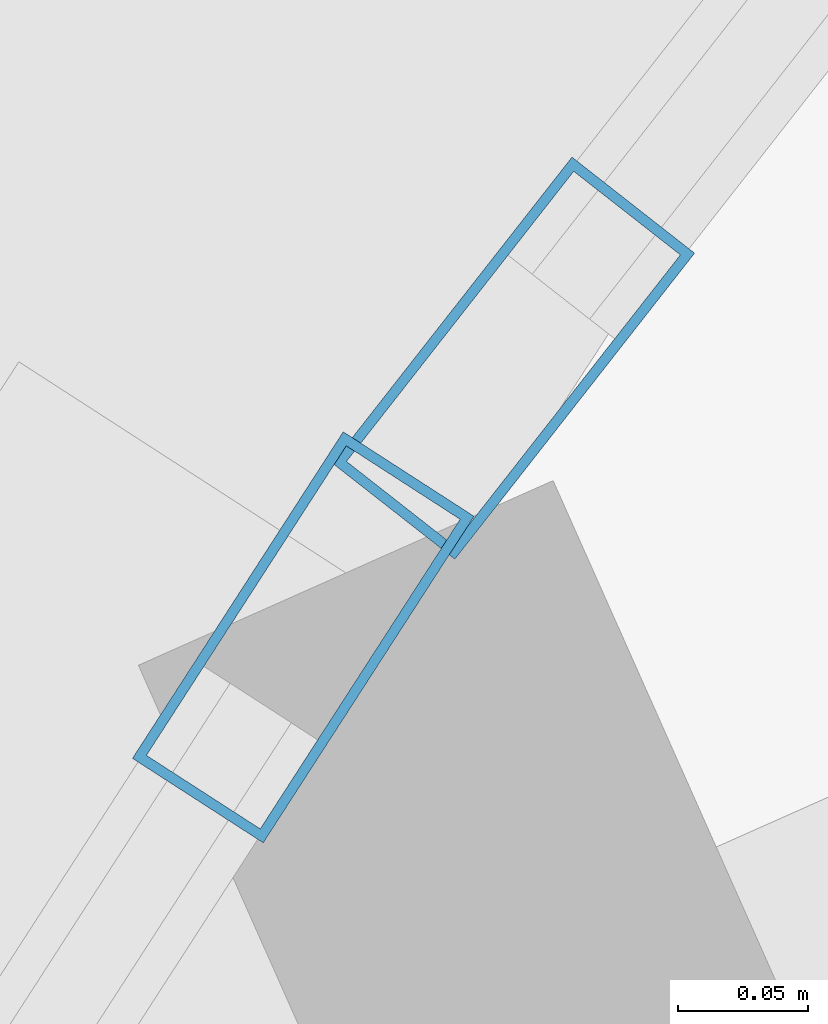
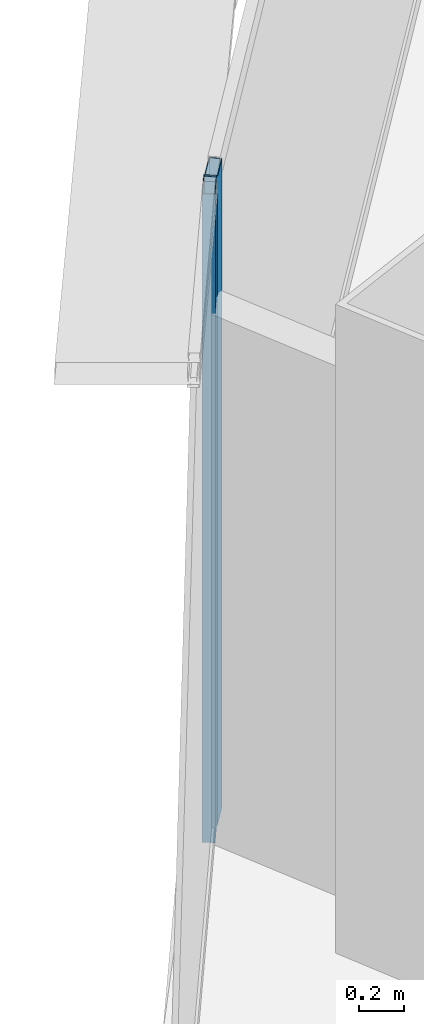
# One storey, part 18 of 36: 2 members, 2 elements without a shape of their own.
"""IFC4 building model written with IfcOpenShell, lengths in metres."""

import ifcopenshell
import ifcopenshell.guid

model = None  # the IFC model being written
_history = None  # IfcOwnerHistory: only IFC2X3 demands one
_inside = {}  # id of a spatial element -> (the spatial element, [elements in it])
_under = {}  # id of a project, library or spatial element -> (it, [spatial elements below it])
_declared = {}  # id of a project -> (the project, [libraries it declares])
_typed = {}  # id of a type object -> (the type object, [elements of that type])
_made_of = {}  # id of a material, layer set ... -> (it, [elements and type objects made of it])


def new_model(schema):
    """Start an empty IFC model of exactly this schema.

    Asked for "IFC4X3", IfcOpenShell would pick the latest addendum, in which some entities
    have other attributes; the version numbers below select the first issue.
    IFC2X3 requires an IfcOwnerHistory on every rooted entity: one is made here for all.
    """
    global model, _history
    if schema == "IFC4X3":
        model = ifcopenshell.file(schema_version=(4, 3, 0, 0))
    else:
        model = ifcopenshell.file(schema=schema)
    _inside.clear()
    _under.clear()
    _declared.clear()
    _typed.clear()
    _made_of.clear()
    _history = None
    if model.schema == "IFC2X3":
        org = make("IfcOrganization", Name="unknown")
        user = make(
            "IfcPersonAndOrganization",
            ThePerson=make("IfcPerson", FamilyName="unknown"),
            TheOrganization=org,
        )
        app = make(
            "IfcApplication",
            ApplicationDeveloper=org,
            Version="unknown",
            ApplicationFullName="unknown",
            ApplicationIdentifier="unknown",
        )
        _history = make(
            "IfcOwnerHistory",
            OwningUser=user,
            OwningApplication=app,
            ChangeAction="ADDED",
            CreationDate=0,
        )
    return model


def make(cls, **values):
    """One entity of the class cls with the attributes given. An attribute that is None is left unset."""
    return model.create_entity(
        cls, **{name: value for name, value in values.items() if value is not None}
    )


def rooted(cls, **values):
    """An entity with a GlobalId (a new one), such as an element, a storey or a relation."""
    return make(cls, GlobalId=ifcopenshell.guid.new(), OwnerHistory=_history, **values)


def si_unit(unit_type, name, prefix=None):
    """IfcSIUnit, for example si_unit("LENGTHUNIT", "METRE", prefix="MILLI")."""
    return make("IfcSIUnit", UnitType=unit_type, Prefix=prefix, Name=name)


def assignment(units):
    """IfcUnitAssignment: the units of a project."""
    return None if units is None else make("IfcUnitAssignment", Units=units)


def point(xyz):
    """IfcCartesianPoint."""
    return None if xyz is None else make("IfcCartesianPoint", Coordinates=xyz)


def direction(xyz):
    """IfcDirection."""
    return None if xyz is None else make("IfcDirection", DirectionRatios=xyz)


def frame(location, z_axis=None, x_axis=None):
    """IfcAxis2Placement3D, a coordinate frame: its origin and axes. An axis left out is left unset."""
    return make(
        "IfcAxis2Placement3D",
        Location=point(location),
        Axis=direction(z_axis),
        RefDirection=direction(x_axis),
    )


def frame_2d(location, x_axis=None):
    """IfcAxis2Placement2D, a coordinate frame in the plane: its origin and x axis."""
    return make(
        "IfcAxis2Placement2D", Location=point(location), RefDirection=direction(x_axis)
    )


def origin():
    """The frame at (0, 0, 0) with its axes left unset."""
    return frame((0.0, 0.0, 0.0))


def origin_2d():
    """The frame at (0, 0) in the plane with its x axis left unset."""
    return frame_2d((0.0, 0.0))


def place(relative_to, where):
    """IfcLocalPlacement: puts the frame where relative to a parent placement (None: the world)."""
    return make(
        "IfcLocalPlacement", PlacementRelTo=relative_to, RelativePlacement=where
    )


def context(
    kind, dimensions, precision=None, world=None, true_north=None, identifier=None
):
    """IfcGeometricRepresentationContext, for example the 3D "Model" context."""
    return make(
        "IfcGeometricRepresentationContext",
        ContextIdentifier=identifier,
        ContextType=kind,
        CoordinateSpaceDimension=dimensions,
        Precision=precision,
        WorldCoordinateSystem=world,
        TrueNorth=true_north,
    )


def subcontext(parent, identifier, kind, view, scale=None):
    """IfcGeometricRepresentationSubContext, for example "Body" below "Model"."""
    return make(
        "IfcGeometricRepresentationSubContext",
        ContextIdentifier=identifier,
        ContextType=kind,
        ParentContext=parent,
        TargetScale=scale,
        TargetView=view,
    )


def project(units=None, contexts=None):
    """IfcProject with its units and contexts."""
    return rooted(
        "IfcProject",
        Name="project",
        RepresentationContexts=contexts,
        UnitsInContext=assignment(units),
    )


def spatial(cls, under=None, at=None, **own):
    """A site, building, storey or space (cls), placed at a placement, below another one or the project."""
    s = rooted(cls, ObjectPlacement=at, **own)
    if under is not None:
        _under.setdefault(under.id(), (under, []))[1].append(s)
    return s


def profile(cls, at=None, kind="AREA", **sizes):
    """A parametric profile (cls). Its sizes go by their IFC names, for example OverallWidth=200.0."""
    return make(cls, ProfileType=kind, Position=at, **sizes)


def hollow_rectangle(**sizes):
    """IfcRectangleHollowProfileDef."""
    return profile("IfcRectangleHollowProfileDef", **sizes)


def extrude(swept, where, along, depth):
    """IfcExtrudedAreaSolid: the profile swept, set in the frame where, extruded along a direction by depth."""
    return make(
        "IfcExtrudedAreaSolid",
        SweptArea=swept,
        Position=where,
        ExtrudedDirection=direction(along),
        Depth=depth,
    )


def shape(context_of_items, identifier, shape_type, items):
    """IfcShapeRepresentation: the items that make up one representation, for example the "Body"."""
    return make(
        "IfcShapeRepresentation",
        ContextOfItems=context_of_items,
        RepresentationIdentifier=identifier,
        RepresentationType=shape_type,
        Items=items,
    )


def source(mapping_origin, context_of_items, identifier, shape_type, items):
    """IfcRepresentationMap: a shape defined once, which mapped items show again and again."""
    return make(
        "IfcRepresentationMap",
        MappingOrigin=mapping_origin,
        MappedRepresentation=shape(context_of_items, identifier, shape_type, items),
    )


def transform(
    local_origin,
    x_axis=None,
    y_axis=None,
    z_axis=None,
    scale=None,
    scale2=None,
    scale3=None,
    uniform=True,
):
    """IfcCartesianTransformationOperator3D, or its non-uniform kind. x_axis, y_axis, z_axis: its Axis1, 2, 3."""
    if uniform:
        return make(
            "IfcCartesianTransformationOperator3D",
            Axis1=direction(x_axis),
            Axis2=direction(y_axis),
            LocalOrigin=point(local_origin),
            Scale=scale,
            Axis3=direction(z_axis),
        )
    return make(
        "IfcCartesianTransformationOperator3DnonUniform",
        Axis1=direction(x_axis),
        Axis2=direction(y_axis),
        LocalOrigin=point(local_origin),
        Scale=scale,
        Axis3=direction(z_axis),
        Scale2=scale2,
        Scale3=scale3,
    )


def mapped(mapping_source, mapping_target):
    """IfcMappedItem: shows the shape of a source again, moved by a transform."""
    return make(
        "IfcMappedItem", MappingSource=mapping_source, MappingTarget=mapping_target
    )


def material(Name=None, Category=None):
    """IfcMaterial."""
    return make("IfcMaterial", Name=Name, Category=Category)


def layer(
    of_material, thickness, ventilated=None, Name=None, Category=None, Priority=None
):
    """IfcMaterialLayer: one layer of a wall or slab, of a material (None: an air gap)."""
    return make(
        "IfcMaterialLayer",
        Material=of_material,
        LayerThickness=thickness,
        IsVentilated=ventilated,
        Name=Name,
        Category=Category,
        Priority=Priority,
    )


def layer_set(layers, Name=None):
    """IfcMaterialLayerSet."""
    return make("IfcMaterialLayerSet", MaterialLayers=layers, LayerSetName=Name)


def material_profile(
    of_material, cross_section, Name=None, Category=None, Priority=None
):
    """IfcMaterialProfile: a cross section and its material."""
    return make(
        "IfcMaterialProfile",
        Name=Name,
        Material=of_material,
        Profile=cross_section,
        Priority=Priority,
        Category=Category,
    )


def profile_set(profiles, Name=None, composite=None):
    """IfcMaterialProfileSet."""
    return make(
        "IfcMaterialProfileSet",
        Name=Name,
        MaterialProfiles=profiles,
        CompositeProfile=composite,
    )


def made_of(thing, what):
    """Note that an element or type object is made of a material, layer set ...; save() writes the relation."""
    if what is not None:
        _made_of.setdefault(what.id(), (what, []))[1].append(thing)
    return thing


def type_object(cls, material=None, **own):
    """A type object (cls), such as IfcWallType, which elements share."""
    return made_of(rooted(cls, **own), material)


def element(
    cls,
    number,
    at=None,
    inside=None,
    cuts=None,
    type_object=None,
    material=None,
    context=None,
    identifier="Body",
    shape_type=None,
    held_by="IfcProductDefinitionShape",
    body=None,
    shapes=None,
    **own,
):
    """One element of the class cls, such as IfcWall. Its Tag is "e" and its number.

    at: its placement. inside: the storey or other place that contains it. cuts: it is an
    opening in that element (IfcRelVoidsElement). A single representation is given by context,
    identifier, shape_type and body (its items); several are given by shapes. held_by: the class
    of the entity that holds the representations. save() writes the other relations.
    """
    e = rooted(cls, Tag="e%d" % number, ObjectPlacement=at, **own)
    if body is not None:
        shapes = [shape(context, identifier, shape_type, body)]
    if shapes is not None:
        e.Representation = make(held_by, Representations=shapes)
    if inside is not None:
        _inside.setdefault(inside.id(), (inside, []))[1].append(e)
    if cuts is not None:
        rooted(
            "IfcRelVoidsElement", RelatingBuildingElement=cuts, RelatedOpeningElement=e
        )
    if type_object is not None:
        _typed.setdefault(type_object.id(), (type_object, []))[1].append(e)
    return made_of(e, material)


def aggregate(whole, parts):
    """IfcRelAggregates: a whole, such as a stair, and the parts it consists of."""
    return rooted("IfcRelAggregates", RelatingObject=whole, RelatedObjects=parts)


def save(model, path):
    """Write the relations noted so far, then the file.

    IfcRelAggregates (storeys below a building ...), IfcRelContainedInSpatialStructure (elements
    in a storey), IfcRelDefinesByType, IfcRelAssociatesMaterial and IfcRelDeclares: one each for
    every whole, place, type object, material and project.
    """
    for whole, parts in _under.values():
        aggregate(whole, parts)
    for where, things in _inside.values():
        rooted(
            "IfcRelContainedInSpatialStructure",
            RelatedElements=things,
            RelatingStructure=where,
        )
    for kind, things in _typed.values():
        rooted("IfcRelDefinesByType", RelatedObjects=things, RelatingType=kind)
    for what, things in _made_of.values():
        rooted("IfcRelAssociatesMaterial", RelatedObjects=things, RelatingMaterial=what)
    for by, libraries in _declared.values():
        rooted("IfcRelDeclares", RelatingContext=by, RelatedDefinitions=libraries)
    model.write(path)


model = new_model("IFC4")

# Units and contexts
model_context = context("Model", 3, precision=1e-05, world=origin(), true_north=direction((0.0, 1.0)))
body_context = subcontext(model_context, "Body", "Model", "MODEL_VIEW")
ifc_project = project(units=[si_unit("LENGTHUNIT", "METRE"), si_unit("AREAUNIT", "SQUARE_METRE"), si_unit("VOLUMEUNIT", "CUBIC_METRE"), si_unit("PLANEANGLEUNIT", "RADIAN"), si_unit("MASSUNIT", "GRAM", prefix="KILO"), si_unit("THERMODYNAMICTEMPERATUREUNIT", "KELVIN"), si_unit("POWERUNIT", "WATT")], contexts=[model_context])

# Site, building, storey
site_placement = place(None, origin())
site = spatial("IfcSite", under=ifc_project, at=site_placement, CompositionType="ELEMENT")
building_placement = place(site_placement, origin())
building = spatial("IfcBuilding", under=site, at=building_placement, Name="Yunzhuo Pagoda Commons", CompositionType="ELEMENT")
storey_placement = place(building_placement, frame((0.0, 0.0, 211.360107421875)))
storey = spatial("IfcBuildingStorey", under=building, at=storey_placement, Name="L53", CompositionType="ELEMENT", Elevation=211.360107421875)

# Curtain wall, member
ifc_material = material(Name="Anodized aluminium 6063-T6", Category="aluminium")
ifc_layer = layer(ifc_material, 0.14990234375)
ifc_layer_set = layer_set([ifc_layer], Name="Anodized aluminium 6063-T6")
curtain_wall_type = type_object("IfcCurtainWallType", Name="CW-MID Mid-Zone Ribbon Curtain Wall", PredefinedType="NOTDEFINED", material=ifc_layer_set)
curtain_wall_1_placement = place(storey_placement, origin())
curtain_wall_1 = element("IfcCurtainWall", 1, at=curtain_wall_1_placement, inside=storey, type_object=curtain_wall_type, Name="L53 curtain wall CW-L53-F3B2", PredefinedType="NOTDEFINED")
ifc_material_profile = material_profile(ifc_material, hollow_rectangle(XDim=0.06005859375, YDim=0.14990234375, WallThickness=0.00390625, at=origin_2d()), Name="Anodized aluminium 6063-T6")
ifc_profile_set = profile_set([ifc_material_profile], Name="Anodized aluminium 6063-T6")
member_type = type_object("IfcMemberType", Name="CW-MID-M Mullion RHS 150x60x4", PredefinedType="MULLION", material=ifc_profile_set)
shared_shape = source(origin(), body_context, "Body", "SweptSolid", [
    extrude(hollow_rectangle(XDim=0.06005859375, YDim=0.14990234375, WallThickness=0.00390625, at=origin_2d()), origin(), (0.0, 0.0, 1.0), 3.539794921875),
])
member_1_placement = place(storey_placement, frame((32.68603515625, 68.0341796875, 0.0), z_axis=(0.0, 0.0, 1.0), x_axis=(0.840138139518, -0.542372479508, 0.0)))
member_1 = element("IfcMember", 2, at=member_1_placement, type_object=member_type, Name="CW mullion 1", PredefinedType="MULLION", context=body_context, shape_type="MappedRepresentation", body=[
    mapped(shared_shape, transform((0.0, 0.0, 0.0), scale=1.0)),
])
aggregate(curtain_wall_1, [member_1])

curtain_wall_2_placement = place(storey_placement, origin())
curtain_wall_2 = element("IfcCurtainWall", 3, at=curtain_wall_2_placement, inside=storey, type_object=curtain_wall_type, Name="L53 curtain wall CW-L53-F3B1", PredefinedType="NOTDEFINED")
member_2_placement = place(storey_placement, frame((32.76708984375, 68.141845703125, 0.0), z_axis=(0.0, 0.0, 1.0), x_axis=(0.78725022787, -0.616633666547, 0.0)))
member_2 = element("IfcMember", 4, at=member_2_placement, type_object=member_type, Name="CW mullion 2", PredefinedType="MULLION", context=body_context, shape_type="MappedRepresentation", body=[
    mapped(shared_shape, transform((0.0, 0.0, 0.0), scale=1.0)),
])
aggregate(curtain_wall_2, [member_2])

save(model, "model.ifc")
